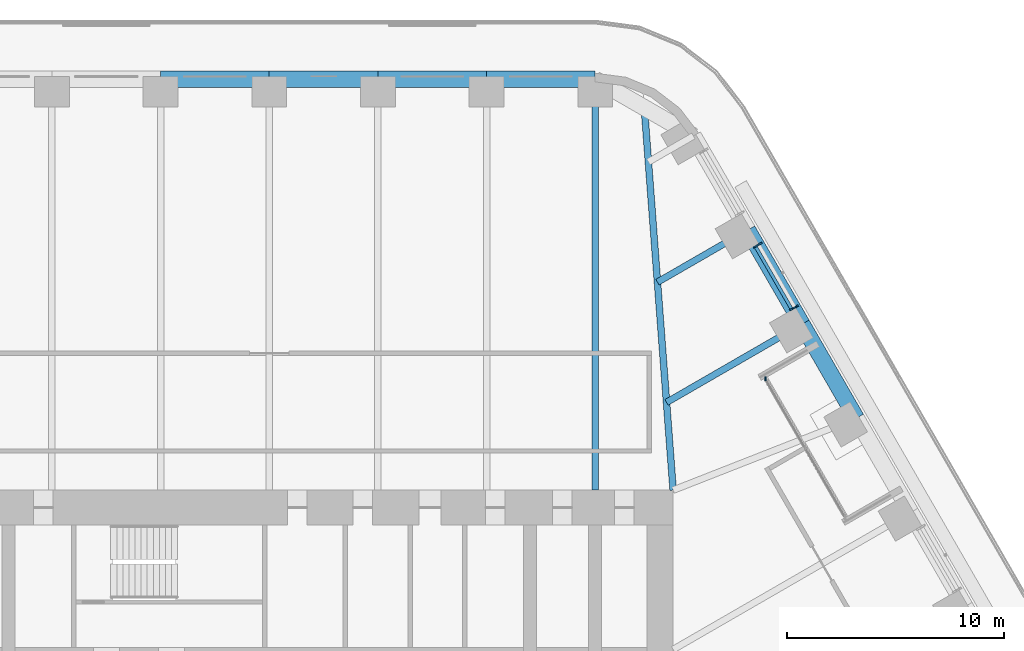
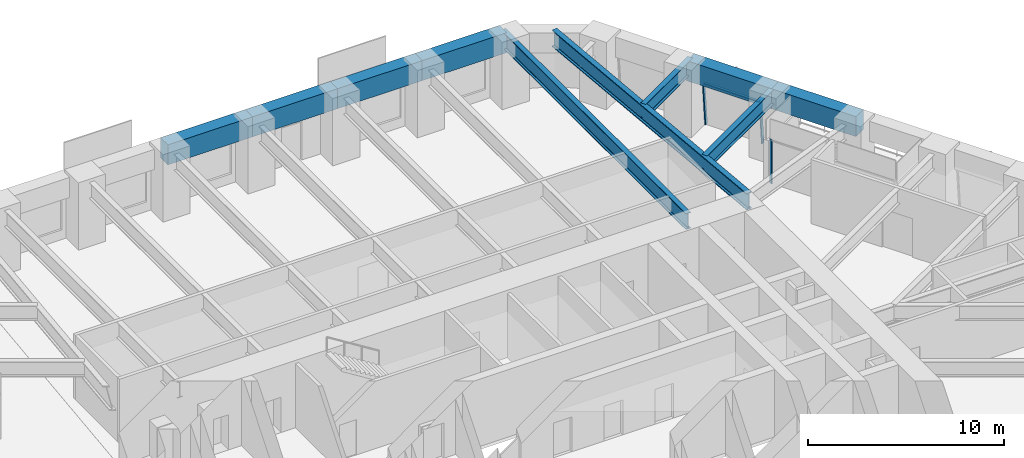
# One storey, part 12 of 24: 10 beams, 4 members, 2 elements without a shape of their own.
"""IFC4 building model written with IfcOpenShell, lengths in metres."""

from ifc_helpers import new_model, si_unit, direction, frame, origin, origin_2d, place, context, subcontext, project, spatial, rectangle, i_section, extrude, material, material_profile, profile_set, type_object, element, aggregate, save


model = new_model("IFC4")

# Units and contexts
model_context = context("Model", 3, precision=1e-05, world=origin(), true_north=direction((0.0, 1.0)))
body_context = subcontext(model_context, "Body", "Model", "MODEL_VIEW")
ifc_project = project(units=[si_unit("LENGTHUNIT", "METRE"), si_unit("AREAUNIT", "SQUARE_METRE"), si_unit("VOLUMEUNIT", "CUBIC_METRE"), si_unit("PLANEANGLEUNIT", "RADIAN"), si_unit("MASSUNIT", "GRAM", prefix="KILO")], contexts=[model_context])

# Site, building, storey
site_placement = place(None, origin())
site = spatial("IfcSite", under=ifc_project, at=site_placement, CompositionType="ELEMENT")
building_placement = place(site_placement, origin())
building = spatial("IfcBuilding", under=site, at=building_placement, Name="Tarfa Lantern Tower", CompositionType="ELEMENT")
storey_placement = place(building_placement, frame((0.0, 0.0, 178.300048828125)))
storey = spatial("IfcBuildingStorey", under=building, at=storey_placement, Name="L40", CompositionType="ELEMENT", Elevation=178.300048828125)

# Curtain wall, members
ifc_material_1 = material(Name="Aluminium framed curtain wall", Category="aluminium")
curtain_wall_type_1 = type_object("IfcCurtainWallType", Name="CW2 CANTED GLAZING MID ZONE 2750", PredefinedType="USERDEFINED", material=ifc_material_1)
curtain_wall_1_placement = place(storey_placement, origin())
curtain_wall_1 = element("IfcCurtainWall", 1, at=curtain_wall_1_placement, inside=storey, type_object=curtain_wall_type_1, Name="CW2 NEB L40", ObjectType="CURTAIN WALL", PredefinedType="USERDEFINED")
ifc_material_2 = material(Name="Aluminium mullion", Category="aluminium")
ifc_material_profile_1 = material_profile(ifc_material_2, rectangle(XDim=0.06494140625, YDim=0.199951171875, at=origin_2d()), Name="AL MULLION 65x200")
ifc_profile_set_1 = profile_set([ifc_material_profile_1], Name="Aluminium mullion")
member_type_1 = type_object("IfcMemberType", Name="CWM1 MULLION 65x200", PredefinedType="MULLION", material=ifc_profile_set_1)
member_1_placement = place(storey_placement, frame((24.275146484375, 20.75439453125, 0.0), z_axis=(-0.078422950161, -0.045267813396, 0.995891894715), x_axis=(0.499919672301, -0.866071776036, 0.0)))
member_1 = element("IfcMember", 2, at=member_1_placement, type_object=member_type_1, Name="CW2 mullion 1", PredefinedType="MULLION", context=body_context, shape_type="SweptSolid", body=[
    extrude(rectangle(XDim=0.06494140625, YDim=0.199951171875, at=origin_2d()), origin(), (0.0, 0.0, 1.0), 2.76123046875),
])
member_2_placement = place(storey_placement, frame((22.605712890625, 23.645751953125, 0.0), z_axis=(-0.078422950161, -0.045267813396, 0.995891894715), x_axis=(0.499919672301, -0.866071776036, 0.0)))
member_2 = element("IfcMember", 3, at=member_2_placement, type_object=member_type_1, Name="CW2 mullion 2", PredefinedType="MULLION", context=body_context, shape_type="SweptSolid", body=[
    extrude(rectangle(XDim=0.06494140625, YDim=0.199951171875, at=origin_2d()), origin(), (0.0, 0.0, 1.0), 2.76123046875),
])

# Curtain wall, member
curtain_wall_type_2 = type_object("IfcCurtainWallType", Name="CW10 LOGGIA GLAZING 2750", PredefinedType="USERDEFINED", material=ifc_material_1)
curtain_wall_2_placement = place(storey_placement, origin())
curtain_wall_2 = element("IfcCurtainWall", 4, at=curtain_wall_2_placement, inside=storey, type_object=curtain_wall_type_2, Name="CW10 NEL L40", ObjectType="CURTAIN WALL", PredefinedType="USERDEFINED")
member_3_placement = place(storey_placement, frame((22.84619140625, 17.429443359375, 0.0), z_axis=(0.0, 0.0, 1.0), x_axis=(1.0, 0.0, 0.0)))
member_3 = element("IfcMember", 5, at=member_3_placement, type_object=member_type_1, Name="CW10 mullion 3", PredefinedType="MULLION", context=body_context, shape_type="SweptSolid", body=[
    extrude(rectangle(XDim=0.06494140625, YDim=0.199951171875, at=origin_2d()), origin(), (0.0, 0.0, 1.0), 2.75),
])
aggregate(curtain_wall_2, [member_3])

# Member
ifc_material_3 = material(Name="Aluminium transom", Category="aluminium")
ifc_material_profile_2 = material_profile(ifc_material_3, rectangle(XDim=0.14990234375, YDim=0.06494140625, at=origin_2d()), Name="AL TRANSOM 150x65")
ifc_profile_set_2 = profile_set([ifc_material_profile_2], Name="Aluminium transom")
member_type_2 = type_object("IfcMemberType", Name="CWT1 TRANSOM 150x65", PredefinedType="USERDEFINED", material=ifc_profile_set_2)
member_4_placement = place(storey_placement, frame((24.044921875, 20.658935546875, 2.717529296875), z_axis=(-0.500012937857, 0.86601793398, 0.0), x_axis=(-0.86601793398, -0.500012937857, 0.0)))
member_4 = element("IfcMember", 6, at=member_4_placement, type_object=member_type_2, Name="CW2 transom 1.2", ObjectType="TRANSOM", PredefinedType="USERDEFINED", context=body_context, shape_type="SweptSolid", body=[
    extrude(rectangle(XDim=0.14990234375, YDim=0.06494140625, at=origin_2d()), origin(), (0.0, 0.0, 1.0), 3.27392578125),
])

aggregate(curtain_wall_1, [member_1, member_2, member_4])

# Beams
ifc_material_4 = material(Name="Concrete C80/95", Category="concrete")
ifc_material_profile_3 = material_profile(ifc_material_4, rectangle(XDim=0.75, YDim=1.25, at=origin_2d()), Name="RC 750x1250")
ifc_profile_set_3 = profile_set([ifc_material_profile_3], Name="Concrete C80/95")
beam_type_1 = type_object("IfcBeamType", Name="EB2 RC 750x1250", PredefinedType="SPANDREL", material=ifc_profile_set_3)
for number, where, z_axis, x_axis, name in (
    (7, (27.037353515625, 15.610107421875, 3.375), (-0.500022324899, 0.866012514114, 0.0), (-0.866012514114, -0.500022324899, 0.0), "Edge beam NE3"),
    (8, (24.535400390625, 19.943359375, 3.375), (-0.49998573051, 0.866033642122, 0.0), (-0.866033642122, -0.49998573051, 0.0), "Edge beam NE4"),
    (9, (15.010986328125, 31.219970703125, 3.375), (-1.0, 0.0, 0.0), (0.0, -1.0, 0.0), "Edge beam N0"),
    (10, (10.00732421875, 31.219970703125, 3.375), (-1.0, 0.0, 0.0), (0.0, -1.0, 0.0), "Edge beam N1"),
    (11, (5.003662109375, 31.219970703125, 3.375), (-1.0, 0.0, 0.0), (0.0, -1.0, 0.0), "Edge beam N2"),
    (12, (0.0, 31.219970703125, 3.375), (-1.0, 0.0, 0.0), (0.0, -1.0, 0.0), "Edge beam N3"),
):
    element("IfcBeam", number, at=place(storey_placement, frame(where, z_axis=z_axis, x_axis=x_axis)), inside=storey, type_object=beam_type_1, Name=name, PredefinedType="SPANDREL", context=body_context, shape_type="SweptSolid", body=[
        extrude(rectangle(XDim=0.75, YDim=1.25, at=origin_2d()), origin(), (0.0, 0.0, 1.0), 5.003662109375),
    ])
ifc_material_5 = material(Name="Steel S460M", Category="steel")
ifc_material_profile_4 = material_profile(ifc_material_5, i_section(OverallWidth=0.302001953125, OverallDepth=1.008056640625, WebThickness=0.02099609375, FlangeThickness=0.0400390625, FilletRadius=0.030029296875, at=origin_2d()), Name="UB1016x305x349")
ifc_profile_set_4 = profile_set([ifc_material_profile_4], Name="Steel S460M")
beam_type_2 = type_object("IfcBeamType", Name="UB1016x305x349", PredefinedType="BEAM", material=ifc_profile_set_4)
beam_1_placement = place(storey_placement, frame((15.010986328125, 31.219970703125, 3.495849609375), z_axis=(0.0, -1.0, 0.0), x_axis=(1.0, 0.0, 0.0)))
element("IfcBeam", 13, at=beam_1_placement, inside=storey, type_object=beam_type_2, Name="Floor beam N0", PredefinedType="BEAM", context=body_context, shape_type="SweptSolid", body=[
    extrude(i_section(OverallWidth=0.302001953125, OverallDepth=1.008056640625, WebThickness=0.02099609375, FlangeThickness=0.0400390625, FilletRadius=0.030029296875, at=origin_2d()), origin(), (0.0, 0.0, 1.0), 18.919921875),
])
ifc_material_profile_5 = material_profile(ifc_material_5, i_section(OverallWidth=0.30859375, OverallDepth=1.036376953125, WebThickness=0.030029296875, FlangeThickness=0.05419921875, FilletRadius=0.030029296875, at=origin_2d()), Name="UB1016x305x487")
ifc_profile_set_5 = profile_set([ifc_material_profile_5], Name="Steel S460M")
beam_type_3 = type_object("IfcBeamType", Name="UB1016x305x487", PredefinedType="BEAM", material=ifc_profile_set_5)
beam_2_placement = place(storey_placement, frame((18.60009765625, 12.300048828125, 3.481689453125), z_axis=(-0.075211516041, 0.99716760269, 0.0), x_axis=(-0.99716760269, -0.075211516041, 0.0)))
element("IfcBeam", 14, at=beam_2_placement, inside=storey, type_object=beam_type_3, Name="Hip girder NE", PredefinedType="BEAM", context=body_context, shape_type="SweptSolid", body=[
    extrude(i_section(OverallWidth=0.30859375, OverallDepth=1.036376953125, WebThickness=0.030029296875, FlangeThickness=0.05419921875, FilletRadius=0.030029296875, at=origin_2d()), origin(), (0.0, 0.0, 1.0), 17.6650390625),
])
ifc_material_profile_6 = material_profile(ifc_material_5, i_section(OverallWidth=0.305419921875, OverallDepth=0.91845703125, WebThickness=0.017333984375, FlangeThickness=0.02783203125, FilletRadius=0.01904296875, at=origin_2d()), Name="UB914x305x253")
ifc_profile_set_6 = profile_set([ifc_material_profile_6], Name="Steel S460M")
beam_type_4 = type_object("IfcBeamType", Name="UB914x305x253", PredefinedType="BEAM", material=ifc_profile_set_6)
beam_3_placement = place(storey_placement, frame((24.535400390625, 19.943359375, 3.540771484375), z_axis=(-0.86602647304, -0.499998147991, 0.0), x_axis=(0.499998147991, -0.86602647304, 0.0)))
element("IfcBeam", 15, at=beam_3_placement, inside=storey, type_object=beam_type_4, Name="Floor beam NE4", PredefinedType="BEAM", context=body_context, shape_type="SweptSolid", body=[
    extrude(i_section(OverallWidth=0.305419921875, OverallDepth=0.91845703125, WebThickness=0.017333984375, FlangeThickness=0.02783203125, FilletRadius=0.01904296875, at=origin_2d()), origin(), (0.0, 0.0, 1.0), 7.20556640625),
])
beam_4_placement = place(storey_placement, frame((22.03369140625, 24.276611328125, 3.540771484375), z_axis=(-0.866030550462, -0.499991085587, 0.0), x_axis=(0.499991085587, -0.866030550462, 0.0)))
element("IfcBeam", 16, at=beam_4_placement, inside=storey, type_object=beam_type_4, Name="Floor beam NE5", PredefinedType="BEAM", context=body_context, shape_type="SweptSolid", body=[
    extrude(i_section(OverallWidth=0.305419921875, OverallDepth=0.91845703125, WebThickness=0.017333984375, FlangeThickness=0.02783203125, FilletRadius=0.01904296875, at=origin_2d()), origin(), (0.0, 0.0, 1.0), 4.798828125),
])

save(model, "model.ifc")
